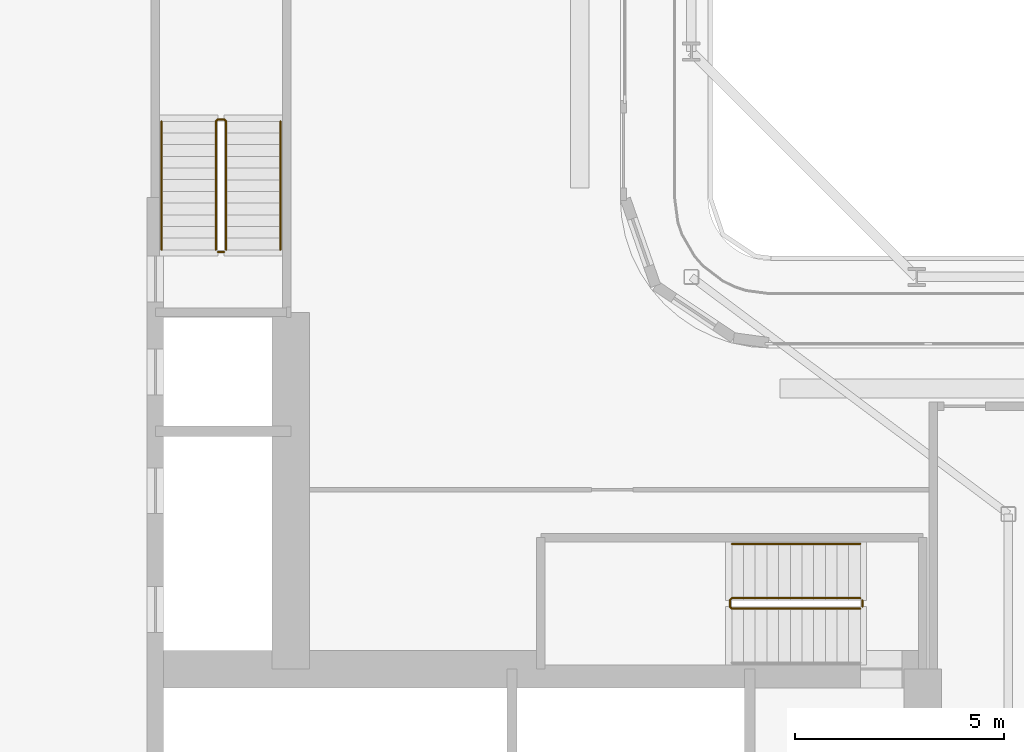
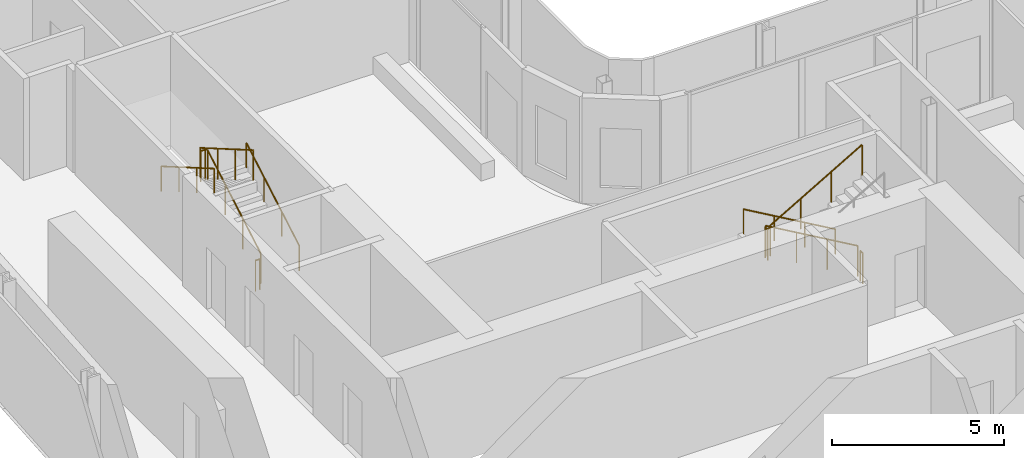
# One storey, part 22 of 28: 7 railings.
"""IFC4 building model written with IfcOpenShell, lengths in metres."""

import ifcopenshell
import ifcopenshell.guid

model = None  # the IFC model being written
_history = None  # IfcOwnerHistory: only IFC2X3 demands one
_inside = {}  # id of a spatial element -> (the spatial element, [elements in it])
_under = {}  # id of a project, library or spatial element -> (it, [spatial elements below it])
_declared = {}  # id of a project -> (the project, [libraries it declares])
_typed = {}  # id of a type object -> (the type object, [elements of that type])
_made_of = {}  # id of a material, layer set ... -> (it, [elements and type objects made of it])


def new_model(schema):
    """Start an empty IFC model of exactly this schema.

    Asked for "IFC4X3", IfcOpenShell would pick the latest addendum, in which some entities
    have other attributes; the version numbers below select the first issue.
    IFC2X3 requires an IfcOwnerHistory on every rooted entity: one is made here for all.
    """
    global model, _history
    if schema == "IFC4X3":
        model = ifcopenshell.file(schema_version=(4, 3, 0, 0))
    else:
        model = ifcopenshell.file(schema=schema)
    _inside.clear()
    _under.clear()
    _declared.clear()
    _typed.clear()
    _made_of.clear()
    _history = None
    if model.schema == "IFC2X3":
        org = make("IfcOrganization", Name="unknown")
        user = make(
            "IfcPersonAndOrganization",
            ThePerson=make("IfcPerson", FamilyName="unknown"),
            TheOrganization=org,
        )
        app = make(
            "IfcApplication",
            ApplicationDeveloper=org,
            Version="unknown",
            ApplicationFullName="unknown",
            ApplicationIdentifier="unknown",
        )
        _history = make(
            "IfcOwnerHistory",
            OwningUser=user,
            OwningApplication=app,
            ChangeAction="ADDED",
            CreationDate=0,
        )
    return model


def make(cls, **values):
    """One entity of the class cls with the attributes given. An attribute that is None is left unset."""
    return model.create_entity(
        cls, **{name: value for name, value in values.items() if value is not None}
    )


def rooted(cls, **values):
    """An entity with a GlobalId (a new one), such as an element, a storey or a relation."""
    return make(cls, GlobalId=ifcopenshell.guid.new(), OwnerHistory=_history, **values)


def si_unit(unit_type, name, prefix=None):
    """IfcSIUnit, for example si_unit("LENGTHUNIT", "METRE", prefix="MILLI")."""
    return make("IfcSIUnit", UnitType=unit_type, Prefix=prefix, Name=name)


def assignment(units):
    """IfcUnitAssignment: the units of a project."""
    return None if units is None else make("IfcUnitAssignment", Units=units)


def point(xyz):
    """IfcCartesianPoint."""
    return None if xyz is None else make("IfcCartesianPoint", Coordinates=xyz)


def direction(xyz):
    """IfcDirection."""
    return None if xyz is None else make("IfcDirection", DirectionRatios=xyz)


def frame(location, z_axis=None, x_axis=None):
    """IfcAxis2Placement3D, a coordinate frame: its origin and axes. An axis left out is left unset."""
    return make(
        "IfcAxis2Placement3D",
        Location=point(location),
        Axis=direction(z_axis),
        RefDirection=direction(x_axis),
    )


def frame_2d(location, x_axis=None):
    """IfcAxis2Placement2D, a coordinate frame in the plane: its origin and x axis."""
    return make(
        "IfcAxis2Placement2D", Location=point(location), RefDirection=direction(x_axis)
    )


def origin():
    """The frame at (0, 0, 0) with its axes left unset."""
    return frame((0.0, 0.0, 0.0))


def origin_2d():
    """The frame at (0, 0) in the plane with its x axis left unset."""
    return frame_2d((0.0, 0.0))


def place(relative_to, where):
    """IfcLocalPlacement: puts the frame where relative to a parent placement (None: the world)."""
    return make(
        "IfcLocalPlacement", PlacementRelTo=relative_to, RelativePlacement=where
    )


def context(
    kind, dimensions, precision=None, world=None, true_north=None, identifier=None
):
    """IfcGeometricRepresentationContext, for example the 3D "Model" context."""
    return make(
        "IfcGeometricRepresentationContext",
        ContextIdentifier=identifier,
        ContextType=kind,
        CoordinateSpaceDimension=dimensions,
        Precision=precision,
        WorldCoordinateSystem=world,
        TrueNorth=true_north,
    )


def subcontext(parent, identifier, kind, view, scale=None):
    """IfcGeometricRepresentationSubContext, for example "Body" below "Model"."""
    return make(
        "IfcGeometricRepresentationSubContext",
        ContextIdentifier=identifier,
        ContextType=kind,
        ParentContext=parent,
        TargetScale=scale,
        TargetView=view,
    )


def project(units=None, contexts=None):
    """IfcProject with its units and contexts."""
    return rooted(
        "IfcProject",
        Name="project",
        RepresentationContexts=contexts,
        UnitsInContext=assignment(units),
    )


def spatial(cls, under=None, at=None, **own):
    """A site, building, storey or space (cls), placed at a placement, below another one or the project."""
    s = rooted(cls, ObjectPlacement=at, **own)
    if under is not None:
        _under.setdefault(under.id(), (under, []))[1].append(s)
    return s


def profile(cls, at=None, kind="AREA", **sizes):
    """A parametric profile (cls). Its sizes go by their IFC names, for example OverallWidth=200.0."""
    return make(cls, ProfileType=kind, Position=at, **sizes)


def circle(**sizes):
    """IfcCircleProfileDef."""
    return profile("IfcCircleProfileDef", **sizes)


def extrude(swept, where, along, depth):
    """IfcExtrudedAreaSolid: the profile swept, set in the frame where, extruded along a direction by depth."""
    return make(
        "IfcExtrudedAreaSolid",
        SweptArea=swept,
        Position=where,
        ExtrudedDirection=direction(along),
        Depth=depth,
    )


def shape(context_of_items, identifier, shape_type, items):
    """IfcShapeRepresentation: the items that make up one representation, for example the "Body"."""
    return make(
        "IfcShapeRepresentation",
        ContextOfItems=context_of_items,
        RepresentationIdentifier=identifier,
        RepresentationType=shape_type,
        Items=items,
    )


def material(Name=None, Category=None):
    """IfcMaterial."""
    return make("IfcMaterial", Name=Name, Category=Category)


def made_of(thing, what):
    """Note that an element or type object is made of a material, layer set ...; save() writes the relation."""
    if what is not None:
        _made_of.setdefault(what.id(), (what, []))[1].append(thing)
    return thing


def type_object(cls, material=None, **own):
    """A type object (cls), such as IfcWallType, which elements share."""
    return made_of(rooted(cls, **own), material)


def element(
    cls,
    number,
    at=None,
    inside=None,
    cuts=None,
    type_object=None,
    material=None,
    context=None,
    identifier="Body",
    shape_type=None,
    held_by="IfcProductDefinitionShape",
    body=None,
    shapes=None,
    **own,
):
    """One element of the class cls, such as IfcWall. Its Tag is "e" and its number.

    at: its placement. inside: the storey or other place that contains it. cuts: it is an
    opening in that element (IfcRelVoidsElement). A single representation is given by context,
    identifier, shape_type and body (its items); several are given by shapes. held_by: the class
    of the entity that holds the representations. save() writes the other relations.
    """
    e = rooted(cls, Tag="e%d" % number, ObjectPlacement=at, **own)
    if body is not None:
        shapes = [shape(context, identifier, shape_type, body)]
    if shapes is not None:
        e.Representation = make(held_by, Representations=shapes)
    if inside is not None:
        _inside.setdefault(inside.id(), (inside, []))[1].append(e)
    if cuts is not None:
        rooted(
            "IfcRelVoidsElement", RelatingBuildingElement=cuts, RelatedOpeningElement=e
        )
    if type_object is not None:
        _typed.setdefault(type_object.id(), (type_object, []))[1].append(e)
    return made_of(e, material)


def aggregate(whole, parts):
    """IfcRelAggregates: a whole, such as a stair, and the parts it consists of."""
    return rooted("IfcRelAggregates", RelatingObject=whole, RelatedObjects=parts)


def save(model, path):
    """Write the relations noted so far, then the file.

    IfcRelAggregates (storeys below a building ...), IfcRelContainedInSpatialStructure (elements
    in a storey), IfcRelDefinesByType, IfcRelAssociatesMaterial and IfcRelDeclares: one each for
    every whole, place, type object, material and project.
    """
    for whole, parts in _under.values():
        aggregate(whole, parts)
    for where, things in _inside.values():
        rooted(
            "IfcRelContainedInSpatialStructure",
            RelatedElements=things,
            RelatingStructure=where,
        )
    for kind, things in _typed.values():
        rooted("IfcRelDefinesByType", RelatedObjects=things, RelatingType=kind)
    for what, things in _made_of.values():
        rooted("IfcRelAssociatesMaterial", RelatedObjects=things, RelatingMaterial=what)
    for by, libraries in _declared.values():
        rooted("IfcRelDeclares", RelatingContext=by, RelatedDefinitions=libraries)
    model.write(path)


model = new_model("IFC4")

# Units and contexts
model_context = context("Model", 3, precision=1e-05, world=origin(), true_north=direction((0.0, 1.0)))
body_context = subcontext(model_context, "Body", "Model", "MODEL_VIEW")
ifc_project = project(units=[si_unit("LENGTHUNIT", "METRE"), si_unit("AREAUNIT", "SQUARE_METRE"), si_unit("VOLUMEUNIT", "CUBIC_METRE"), si_unit("PLANEANGLEUNIT", "RADIAN"), si_unit("MASSUNIT", "GRAM", prefix="KILO")], contexts=[model_context])

# Site, building, storey
site_placement = place(None, origin())
site = spatial("IfcSite", under=ifc_project, at=site_placement, CompositionType="ELEMENT")
building_placement = place(site_placement, origin())
building = spatial("IfcBuilding", under=site, at=building_placement, Name="Kheshtan School and Residences Tower", CompositionType="ELEMENT")
storey_placement = place(building_placement, frame((0.0, 0.0, 94.10009765625)))
storey = spatial("IfcBuildingStorey", under=building, at=storey_placement, Name="L21", CompositionType="ELEMENT", Elevation=94.10009765625)

# Railings
ifc_material_1 = material(Name="Stainless steel balustrade", Category="steel")
railing_type_1 = type_object("IfcRailingType", Name="Stair guard 1100", PredefinedType="GUARDRAIL", material=ifc_material_1)
railing_1_placement = place(storey_placement, frame((51.64990234375, 37.89990234375, 0.162353515625)))
element("IfcRailing", 1, at=railing_1_placement, inside=storey, type_object=railing_type_1, Name="L21 ST1 stair guard 1", PredefinedType="GUARDRAIL", context=body_context, shape_type="SweptSolid", body=[
    extrude(circle(Radius=0.02392578125, at=origin_2d()), frame((0.0, 0.0, 1.076171875), z_axis=(-0.864873446163, 0.0, 0.501989962173), x_axis=(0.0, -1.0, 0.0)), (0.0, 0.0, 1.0), 3.56103515625),
    extrude(circle(Radius=0.02392578125, at=origin_2d()), frame((-3.079833984375, 0.0, 2.86376953125), z_axis=(-0.708833529934, -0.705375805398, 0.0), x_axis=(0.705375805398, -0.708833529934, 0.0)), (0.0, 0.0, 1.0), 0.070556640625),
    extrude(circle(Radius=0.02392578125, at=origin_2d()), frame((-3.1298828125, -0.0498046875, 2.86376953125), z_axis=(0.0, -1.0, 0.0), x_axis=(1.0, 0.0, 0.0)), (0.0, 0.0, 1.0), 0.150146484375),
    extrude(circle(Radius=0.02392578125, at=origin_2d()), frame((-3.1298828125, -0.199951171875, 2.86376953125), z_axis=(0.282583949758, -0.282583949758, 0.916674763849), x_axis=(0.707106781187, 0.707106781187, 0.0)), (0.0, 0.0, 1.0), 0.177001953125),
    extrude(circle(Radius=0.02392578125, at=origin_2d()), frame((-3.079833984375, -0.25, 3.02587890625), z_axis=(0.864873446163, 0.0, 0.501989962173), x_axis=(0.0, 1.0, 0.0)), (0.0, 0.0, 1.0), 3.56103515625),
    extrude(circle(Radius=0.02099609375, at=origin_2d()), origin(), (0.0, 0.0, 1.0), 1.052001953125),
    extrude(circle(Radius=0.02099609375, at=origin_2d()), frame((-1.026611328125, 0.0, 0.595947265625)), (0.0, 0.0, 1.0), 1.052001953125),
    extrude(circle(Radius=0.02099609375, at=origin_2d()), frame((-2.05322265625, 0.0, 1.191650390625)), (0.0, 0.0, 1.0), 1.052001953125),
    extrude(circle(Radius=0.02099609375, at=origin_2d()), frame((-3.079833984375, 0.0, 1.78759765625)), (0.0, 0.0, 1.0), 1.052001953125),
    extrude(circle(Radius=0.02099609375, at=origin_2d()), frame((-3.1298828125, -0.0498046875, 1.78759765625)), (0.0, 0.0, 1.0), 1.052001953125),
    extrude(circle(Radius=0.02099609375, at=origin_2d()), frame((-3.1298828125, -0.199951171875, 1.78759765625)), (0.0, 0.0, 1.0), 1.052001953125),
    extrude(circle(Radius=0.02099609375, at=origin_2d()), frame((-3.079833984375, -0.25, 1.949951171875)), (0.0, 0.0, 1.0), 1.052001953125),
    extrude(circle(Radius=0.02099609375, at=origin_2d()), frame((-2.05322265625, -0.25, 2.5458984375)), (0.0, 0.0, 1.0), 1.052001953125),
    extrude(circle(Radius=0.02099609375, at=origin_2d()), frame((-1.026611328125, -0.25, 3.1416015625)), (0.0, 0.0, 1.0), 1.052001953125),
    extrude(circle(Radius=0.02099609375, at=origin_2d()), frame((0.0, -0.25, 3.737548828125)), (0.0, 0.0, 1.0), 1.052001953125),
])
railing_2_placement = place(storey_placement, frame((51.699951171875, 37.85009765625, 0.0)))
element("IfcRailing", 2, at=railing_2_placement, inside=storey, type_object=railing_type_1, Name="L21 ST1 stair guard 2", PredefinedType="GUARDRAIL", context=body_context, shape_type="SweptSolid", body=[
    extrude(circle(Radius=0.02392578125, at=origin_2d()), frame((0.0, 0.0, 1.076171875), z_axis=(0.0, -1.0, 0.0), x_axis=(1.0, 0.0, 0.0)), (0.0, 0.0, 1.0), 0.150146484375),
    extrude(circle(Radius=0.02099609375, at=origin_2d()), origin(), (0.0, 0.0, 1.0), 1.052001953125),
    extrude(circle(Radius=0.02099609375, at=origin_2d()), frame((0.0, -0.150146484375, 0.0)), (0.0, 0.0, 1.0), 1.052001953125),
])
railing_3_placement = place(storey_placement, frame((36.449951171875, 46.25, 0.162353515625)))
element("IfcRailing", 3, at=railing_3_placement, inside=storey, type_object=railing_type_1, Name="L21 ST2 stair guard 1", PredefinedType="GUARDRAIL", context=body_context, shape_type="SweptSolid", body=[
    extrude(circle(Radius=0.02392578125, at=origin_2d()), frame((0.0, 0.0, 1.076171875), z_axis=(0.0, 0.864890721111, 0.501960198159), x_axis=(-1.0, 0.0, 0.0)), (0.0, 0.0, 1.0), 3.561279296875),
    extrude(circle(Radius=0.02392578125, at=origin_2d()), frame((0.0, 3.080078125, 2.86376953125), z_axis=(-0.708833529934, 0.705375805398, 0.0), x_axis=(-0.705375805398, -0.708833529934, 0.0)), (0.0, 0.0, 1.0), 0.070556640625),
    extrude(circle(Radius=0.02392578125, at=origin_2d()), frame((-0.050048828125, 3.1298828125, 2.86376953125), z_axis=(-1.0, 0.0, 0.0), x_axis=(0.0, -1.0, 0.0)), (0.0, 0.0, 1.0), 0.14990234375),
    extrude(circle(Radius=0.02392578125, at=origin_2d()), frame((-0.199951171875, 3.1298828125, 2.86376953125), z_axis=(-0.282693820306, -0.281314826061, 0.917031173188), x_axis=(0.705375805398, -0.708833529934, 0.0)), (0.0, 0.0, 1.0), 0.177001953125),
    extrude(circle(Radius=0.02392578125, at=origin_2d()), frame((-0.25, 3.080078125, 3.02587890625), z_axis=(0.0, -0.864890721111, 0.501960198159), x_axis=(1.0, 0.0, 0.0)), (0.0, 0.0, 1.0), 3.561279296875),
    extrude(circle(Radius=0.02099609375, at=origin_2d()), origin(), (0.0, 0.0, 1.0), 1.052001953125),
    extrude(circle(Radius=0.02099609375, at=origin_2d()), frame((0.0, 1.026611328125, 0.595947265625)), (0.0, 0.0, 1.0), 1.052001953125),
    extrude(circle(Radius=0.02099609375, at=origin_2d()), frame((0.0, 2.053466796875, 1.191650390625)), (0.0, 0.0, 1.0), 1.052001953125),
    extrude(circle(Radius=0.02099609375, at=origin_2d()), frame((0.0, 3.080078125, 1.78759765625)), (0.0, 0.0, 1.0), 1.052001953125),
    extrude(circle(Radius=0.02099609375, at=origin_2d()), frame((-0.050048828125, 3.1298828125, 1.78759765625)), (0.0, 0.0, 1.0), 1.052001953125),
    extrude(circle(Radius=0.02099609375, at=origin_2d()), frame((-0.199951171875, 3.1298828125, 1.78759765625)), (0.0, 0.0, 1.0), 1.052001953125),
    extrude(circle(Radius=0.02099609375, at=origin_2d()), frame((-0.25, 3.080078125, 1.949951171875)), (0.0, 0.0, 1.0), 1.052001953125),
    extrude(circle(Radius=0.02099609375, at=origin_2d()), frame((-0.25, 2.053466796875, 2.5458984375)), (0.0, 0.0, 1.0), 1.052001953125),
    extrude(circle(Radius=0.02099609375, at=origin_2d()), frame((-0.25, 1.026611328125, 3.1416015625)), (0.0, 0.0, 1.0), 1.052001953125),
    extrude(circle(Radius=0.02099609375, at=origin_2d()), frame((-0.25, 0.0, 3.737548828125)), (0.0, 0.0, 1.0), 1.052001953125),
])
railing_4_placement = place(storey_placement, frame((36.39990234375, 46.199951171875, 0.0)))
element("IfcRailing", 4, at=railing_4_placement, inside=storey, type_object=railing_type_1, Name="L21 ST2 stair guard 2", PredefinedType="GUARDRAIL", context=body_context, shape_type="SweptSolid", body=[
    extrude(circle(Radius=0.02392578125, at=origin_2d()), frame((0.0, 0.0, 1.076171875), z_axis=(-1.0, 0.0, 0.0), x_axis=(0.0, -1.0, 0.0)), (0.0, 0.0, 1.0), 0.14990234375),
    extrude(circle(Radius=0.02099609375, at=origin_2d()), origin(), (0.0, 0.0, 1.0), 1.052001953125),
    extrude(circle(Radius=0.02099609375, at=origin_2d()), frame((-0.14990234375, 0.0, 0.0)), (0.0, 0.0, 1.0), 1.052001953125),
])
ifc_material_2 = material(Name="Stainless steel handrail", Category="steel")
railing_type_2 = type_object("IfcRailingType", Name="Stair handrail 900", PredefinedType="HANDRAIL", material=ifc_material_2)
railing_5_placement = place(storey_placement, frame((51.64990234375, 39.199951171875, 0.162353515625)))
element("IfcRailing", 5, at=railing_5_placement, inside=storey, type_object=railing_type_2, Name="L21 ST1 stair handrail 1", PredefinedType="HANDRAIL", context=body_context, shape_type="SweptSolid", body=[
    extrude(circle(Radius=0.02392578125, at=origin_2d()), frame((0.0, 0.0, 0.8759765625), z_axis=(-0.864873446163, 0.0, 0.501989962173), x_axis=(0.0, -1.0, 0.0)), (0.0, 0.0, 1.0), 3.56103515625),
    extrude(circle(Radius=0.02099609375, at=origin_2d()), origin(), (0.0, 0.0, 1.0), 0.851806640625),
    extrude(circle(Radius=0.02099609375, at=origin_2d()), frame((-1.026611328125, 0.0, 0.595947265625)), (0.0, 0.0, 1.0), 0.851806640625),
    extrude(circle(Radius=0.02099609375, at=origin_2d()), frame((-2.05322265625, 0.0, 1.191650390625)), (0.0, 0.0, 1.0), 0.851806640625),
    extrude(circle(Radius=0.02099609375, at=origin_2d()), frame((-3.079833984375, 0.0, 1.78759765625)), (0.0, 0.0, 1.0), 0.851806640625),
])
railing_6_placement = place(storey_placement, frame((37.75, 46.25, 0.162353515625)))
element("IfcRailing", 6, at=railing_6_placement, inside=storey, type_object=railing_type_2, Name="L21 ST2 stair handrail 1", PredefinedType="HANDRAIL", context=body_context, shape_type="SweptSolid", body=[
    extrude(circle(Radius=0.02392578125, at=origin_2d()), frame((0.0, 0.0, 0.8759765625), z_axis=(0.0, 0.864890721111, 0.501960198159), x_axis=(-1.0, 0.0, 0.0)), (0.0, 0.0, 1.0), 3.561279296875),
    extrude(circle(Radius=0.02099609375, at=origin_2d()), origin(), (0.0, 0.0, 1.0), 0.851806640625),
    extrude(circle(Radius=0.02099609375, at=origin_2d()), frame((0.0, 1.026611328125, 0.595947265625)), (0.0, 0.0, 1.0), 0.851806640625),
    extrude(circle(Radius=0.02099609375, at=origin_2d()), frame((0.0, 2.053466796875, 1.191650390625)), (0.0, 0.0, 1.0), 0.851806640625),
    extrude(circle(Radius=0.02099609375, at=origin_2d()), frame((0.0, 3.080078125, 1.78759765625)), (0.0, 0.0, 1.0), 0.851806640625),
])
railing_7_placement = place(storey_placement, frame((34.89990234375, 49.330078125, 2.1123046875)))
element("IfcRailing", 7, at=railing_7_placement, inside=storey, type_object=railing_type_2, Name="L21 ST2 stair handrail 2", PredefinedType="HANDRAIL", context=body_context, shape_type="SweptSolid", body=[
    extrude(circle(Radius=0.02392578125, at=origin_2d()), frame((0.0, 0.0, 0.8759765625), z_axis=(0.0, -0.864890721111, 0.501960198159), x_axis=(1.0, 0.0, 0.0)), (0.0, 0.0, 1.0), 3.561279296875),
    extrude(circle(Radius=0.02099609375, at=origin_2d()), origin(), (0.0, 0.0, 1.0), 0.851806640625),
    extrude(circle(Radius=0.02099609375, at=origin_2d()), frame((0.0, -1.026611328125, 0.595947265625)), (0.0, 0.0, 1.0), 0.851806640625),
    extrude(circle(Radius=0.02099609375, at=origin_2d()), frame((0.0, -2.053466796875, 1.191650390625)), (0.0, 0.0, 1.0), 0.851806640625),
    extrude(circle(Radius=0.02099609375, at=origin_2d()), frame((0.0, -3.080078125, 1.78759765625)), (0.0, 0.0, 1.0), 0.851806640625),
])

save(model, "model.ifc")
